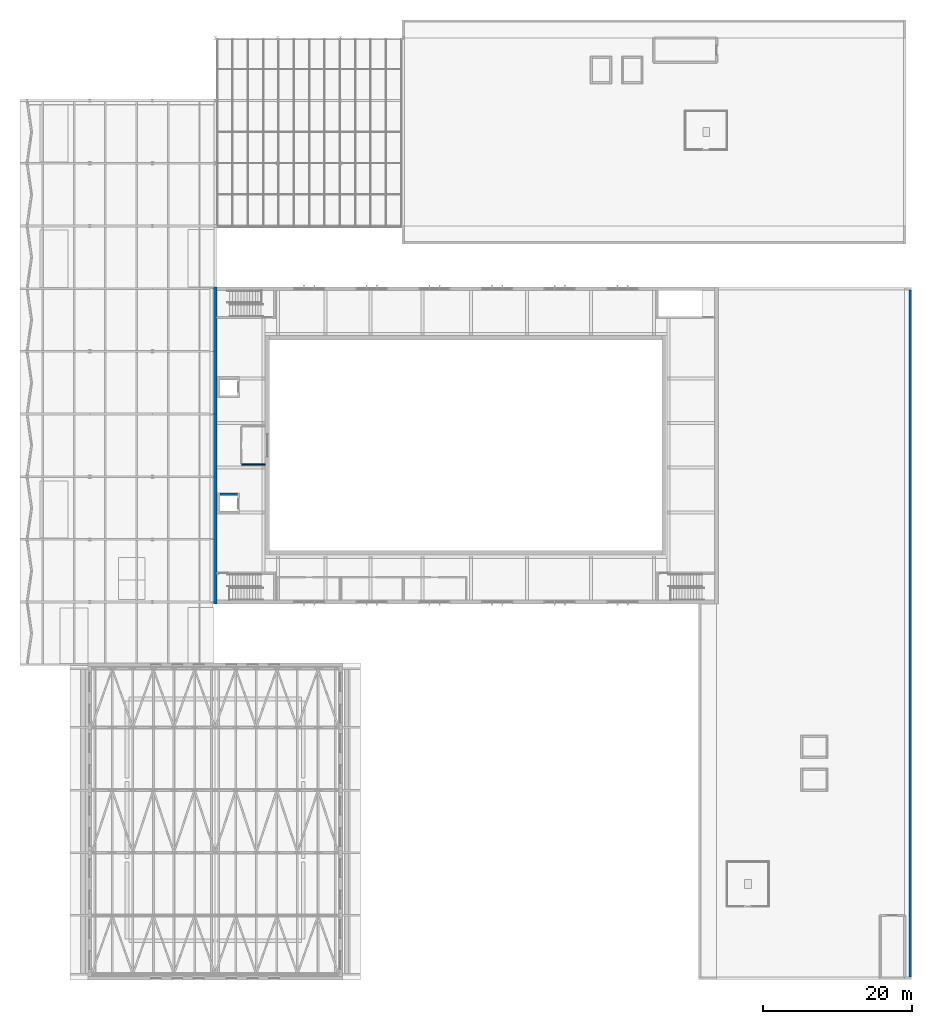
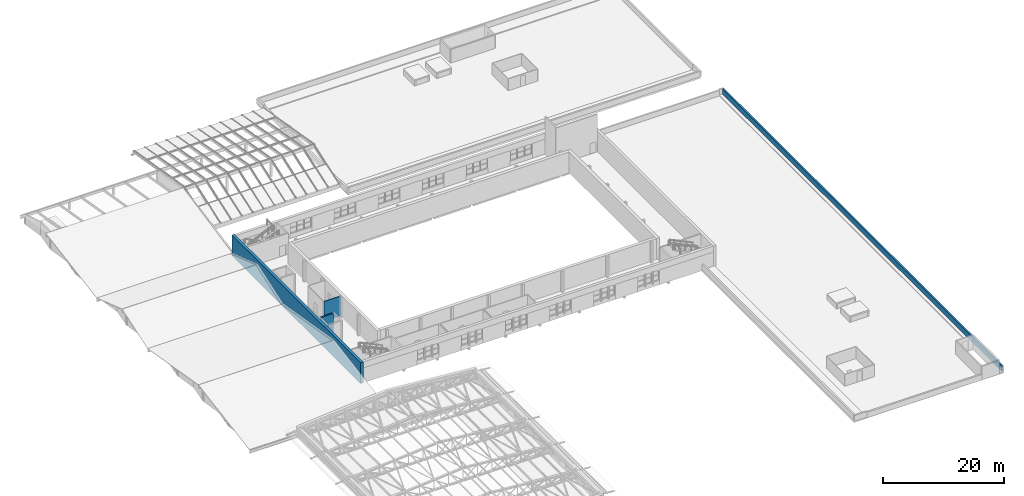
# One storey, part 42 of 60: 4 walls.
"""IFC4 building model written with IfcOpenShell, lengths in metres."""

from ifc_helpers import new_model, si_unit, direction, frame, frame_2d, origin, place, context, subcontext, project, spatial, rectangle, extrude, material, layer, layer_set, type_object, element, save


model = new_model("IFC4")

# Units and contexts
model_context = context("Model", 3, precision=1e-05, world=origin(), true_north=direction((0.0, 1.0)))
body_context = subcontext(model_context, "Body", "Model", "MODEL_VIEW")
ifc_project = project(units=[si_unit("LENGTHUNIT", "METRE"), si_unit("AREAUNIT", "SQUARE_METRE"), si_unit("VOLUMEUNIT", "CUBIC_METRE"), si_unit("PLANEANGLEUNIT", "RADIAN"), si_unit("MASSUNIT", "GRAM", prefix="KILO")], contexts=[model_context])

# Site, building, storey
site_placement = place(None, origin())
site = spatial("IfcSite", under=ifc_project, at=site_placement, CompositionType="ELEMENT")
building_placement = place(site_placement, origin())
building = spatial("IfcBuilding", under=site, at=building_placement, Name="Ljudholm Concert House", CompositionType="ELEMENT")
storey_placement = place(building_placement, frame((0.0, 0.0, 15.0)))
storey = spatial("IfcBuildingStorey", under=building, at=storey_placement, Name="L03", CompositionType="ELEMENT", Elevation=15.0)

# Walls
ifc_material_1 = material(Name="Gypsum board on steel studs", Category="steel")
ifc_layer_1 = layer(ifc_material_1, 0.14990234375)
ifc_layer_set_1 = layer_set([ifc_layer_1], Name="Gypsum board on steel studs")
wall_type_1 = type_object("IfcWallType", Name="GYPSUM PARTITION 150", PredefinedType="PARTITIONING", material=ifc_layer_set_1)
wall_1_placement = place(storey_placement, frame((32.75, 72.824951171875, 0.0), z_axis=(0.0, 0.0, 1.0), x_axis=(1.0, 0.0, 0.0)))
element("IfcWall", 1, at=wall_1_placement, inside=storey, type_object=wall_type_1, Name="Control Room partition", PredefinedType="PARTITIONING", context=body_context, shape_type="SweptSolid", body=[
    extrude(rectangle(XDim=3.14990234375, YDim=0.14990234375, at=frame_2d((1.574951171875, 0.0))), origin(), (0.0, 0.0, 1.0), 3.949951171875),
])
ifc_material_2 = material(Name="Precast concrete 5,000 psi", Category="concrete")
ifc_layer_2 = layer(ifc_material_2, 0.300048828125)
ifc_layer_set_2 = layer_set([ifc_layer_2], Name="Precast concrete 5,000 psi")
wall_type_2 = type_object("IfcWallType", Name="PARAPET 300", PredefinedType="PARAPET", material=ifc_layer_set_2)
wall_2_placement = place(storey_placement, frame((122.35009765625, 4.14990234375, 0.169921875), z_axis=(0.0, 0.0, 1.0), x_axis=(0.0, 1.0, 0.0)))
element("IfcWall", 2, at=wall_2_placement, inside=storey, type_object=wall_type_2, Name="Parapet", PredefinedType="PARAPET", context=body_context, shape_type="SweptSolid", body=[
    extrude(rectangle(XDim=92.10009765625, YDim=0.300048828125, at=frame_2d((46.050048828125, 0.0))), origin(), (0.0, 0.0, 1.0), 1.10009765625),
])
ifc_material_3 = material(Name="Concrete 6,500 psi", Category="concrete")
ifc_layer_3 = layer(ifc_material_3, 0.300048828125)
ifc_layer_set_3 = layer_set([ifc_layer_3], Name="Concrete 6,500 psi")
wall_type_3 = type_object("IfcWallType", Name="RC WALL 300", PredefinedType="SOLIDWALL", material=ifc_layer_set_3)
wall_3_placement = place(storey_placement, frame((29.824951171875, 68.85009765625, 0.0), z_axis=(0.0, 0.0, 1.0), x_axis=(1.0, 0.0, 0.0)))
element("IfcWall", 3, at=wall_3_placement, inside=storey, type_object=wall_type_3, Name="Lift shaft wall", PredefinedType="SOLIDWALL", context=body_context, shape_type="SweptSolid", body=[
    extrude(rectangle(XDim=2.35009765625, YDim=0.300048828125, at=frame_2d((1.175048828125, 0.0))), origin(), (0.0, 0.0, 1.0), 4.199951171875),
])
ifc_material_4 = material(Name="Concrete 6,500 psi", Category="concrete")
ifc_layer_4 = layer(ifc_material_4, 0.5)
ifc_layer_set_4 = layer_set([ifc_layer_4], Name="Concrete 6,500 psi")
wall_type_4 = type_object("IfcWallType", Name="RC WALL 500", PredefinedType="SOLIDWALL", material=ifc_layer_set_4)
wall_4_placement = place(storey_placement, frame((29.199951171875, 54.14990234375, 0.0), z_axis=(0.0, 0.0, 1.0), x_axis=(0.0, 1.0, 0.0)))
element("IfcWall", 4, at=wall_4_placement, inside=storey, type_object=wall_type_4, Name="Outer wall W", PredefinedType="SOLIDWALL", context=body_context, shape_type="SweptSolid", body=[
    extrude(rectangle(XDim=42.5, YDim=0.5, at=frame_2d((21.25, 0.0))), origin(), (0.0, 0.0, 1.0), 4.199951171875),
])

save(model, "model.ifc")
